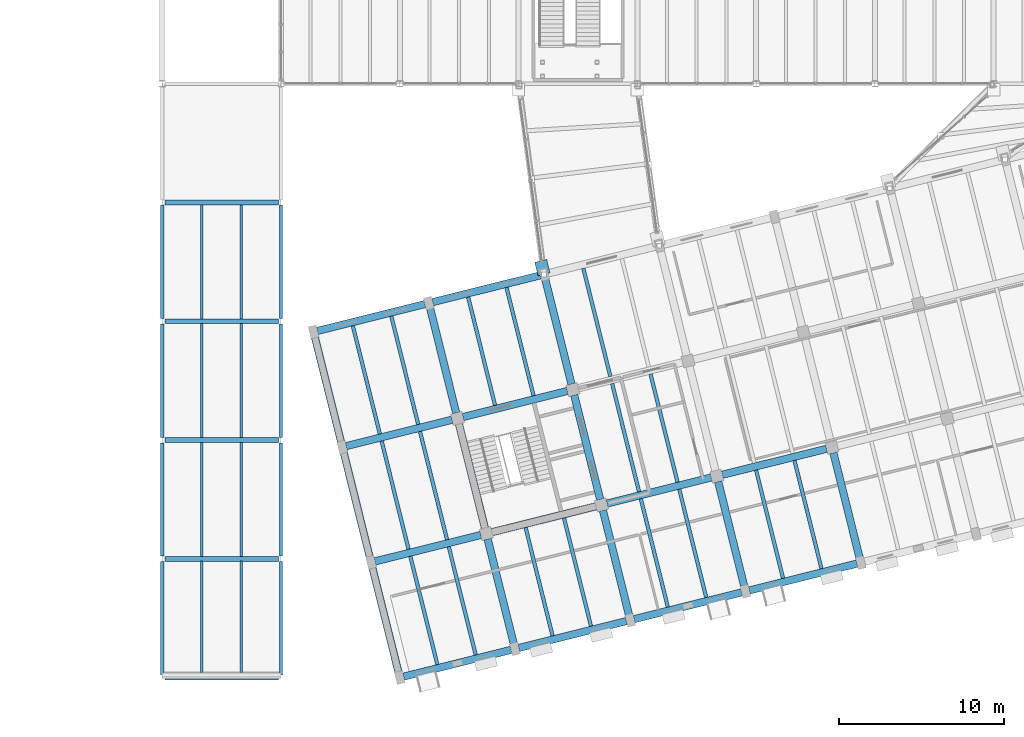
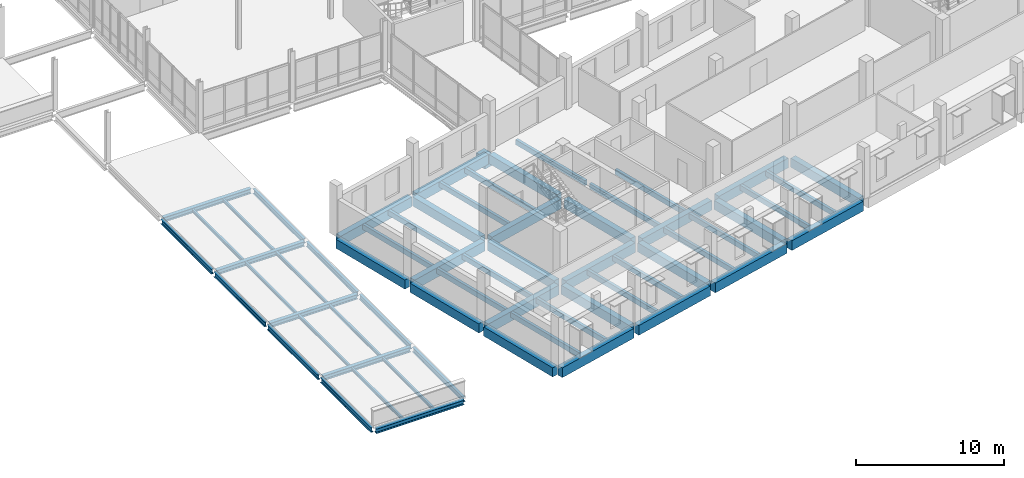
# One storey, part 16 of 72: 62 beams.
"""IFC4 building model written with IfcOpenShell, lengths in metres."""

from ifc_helpers import new_model, si_unit, direction, frame, origin, origin_2d, place, context, subcontext, project, spatial, rectangle, i_section, extrude, material, material_profile, profile_set, type_object, element, save


model = new_model("IFC4")

# Units and contexts
model_context = context("Model", 3, precision=1e-05, world=origin(), true_north=direction((0.0, 1.0)))
body_context = subcontext(model_context, "Body", "Model", "MODEL_VIEW")
ifc_project = project(units=[si_unit("LENGTHUNIT", "METRE"), si_unit("AREAUNIT", "SQUARE_METRE"), si_unit("VOLUMEUNIT", "CUBIC_METRE"), si_unit("PLANEANGLEUNIT", "RADIAN"), si_unit("MASSUNIT", "GRAM", prefix="KILO")], contexts=[model_context])

# Site, building, storey
site_placement = place(None, origin())
site = spatial("IfcSite", under=ifc_project, at=site_placement, CompositionType="ELEMENT")
building_placement = place(site_placement, origin())
building = spatial("IfcBuilding", under=site, at=building_placement, Name="Qiaolan Assembly House", CompositionType="ELEMENT")
storey_placement = place(building_placement, frame((0.0, 0.0, 10.199951171875)))
storey = spatial("IfcBuildingStorey", under=building, at=storey_placement, Name="L02", CompositionType="ELEMENT", Elevation=10.199951171875)

# Beams
ifc_material_1 = material(Name="Concrete C50/60", Category="concrete")
ifc_material_profile_1 = material_profile(ifc_material_1, rectangle(XDim=0.75, YDim=0.949951171875, at=origin_2d()), Name="RCB 750x950")
ifc_profile_set_1 = profile_set([ifc_material_profile_1], Name="Concrete C50/60")
beam_type_1 = type_object("IfcBeamType", Name="BM-CORBEL-750x950", PredefinedType="SPANDREL", material=ifc_profile_set_1)
beam_1_placement = place(storey_placement, frame((44.746826171875, 24.442138671875, -1.051025390625), z_axis=(-0.242130110678, 0.970243788696, 0.0), x_axis=(-0.970243788696, -0.242130110678, 0.0)))
element("IfcBeam", 1, at=beam_1_placement, inside=storey, type_object=beam_type_1, Name="CB-01 movement-joint RC corbel WB L02 SE", PredefinedType="SPANDREL", context=body_context, shape_type="SweptSolid", body=[
    extrude(rectangle(XDim=0.75, YDim=0.949951171875, at=origin_2d()), origin(), (0.0, 0.0, 1.0), 0.85009765625),
])
ifc_material_2 = material(Name="Concrete C40/50", Category="concrete")
ifc_material_profile_2 = material_profile(ifc_material_2, rectangle(XDim=0.449951171875, YDim=0.75, at=origin_2d()), Name="RCB 450x750")
ifc_profile_set_2 = profile_set([ifc_material_profile_2], Name="Concrete C40/50")
beam_type_2 = type_object("IfcBeamType", Name="BM-RC-450x750", PredefinedType="BEAM", material=ifc_profile_set_2)
beam_2_placement = place(storey_placement, frame((35.94189453125, 0.23291015625, -0.625), z_axis=(-0.241928634891, 0.970294045957, 0.0), x_axis=(-0.970294045957, -0.241928634891, 0.0)))
element("IfcBeam", 2, at=beam_2_placement, inside=storey, type_object=beam_type_2, Name="GB-04 beam BMV-SE-L02-00-00", PredefinedType="BEAM", context=body_context, shape_type="SweptSolid", body=[
    extrude(rectangle(XDim=0.449951171875, YDim=0.75, at=origin_2d()), origin(), (0.0, 0.0, 1.0), 6.719970703125),
])
for number, where, z_axis, x_axis, name in (
    (3, (34.2001953125, 7.218994140625, -0.625), (-0.241920106756, 0.970296172283, 0.0), (-0.970296172283, -0.241920106756, 0.0), "GB-04 beam BMV-SE-L02-00-01"),
    (4, (32.458251953125, 14.205078125, -0.625), (-0.241920106756, 0.970296172283, 0.0), (-0.970296172283, -0.241920106756, 0.0), "GB-04 beam BMV-SE-L02-00-02"),
):
    element("IfcBeam", number, at=place(storey_placement, frame(where, z_axis=z_axis, x_axis=x_axis)), inside=storey, type_object=beam_type_2, Name=name, PredefinedType="BEAM", context=body_context, shape_type="SweptSolid", body=[
        extrude(rectangle(XDim=0.449951171875, YDim=0.75, at=origin_2d()), origin(), (0.0, 0.0, 1.0), 6.72021484375),
    ])
beam_3_placement = place(storey_placement, frame((42.927978515625, 1.974609375, -0.625), z_axis=(-0.241893432628, 0.970302822448, 0.0), x_axis=(-0.970302822448, -0.241893432628, 0.0)))
element("IfcBeam", 5, at=beam_3_placement, inside=storey, type_object=beam_type_2, Name="GB-04 beam BMV-SE-L02-01-00", PredefinedType="BEAM", context=body_context, shape_type="SweptSolid", body=[
    extrude(rectangle(XDim=0.449951171875, YDim=0.75, at=origin_2d()), origin(), (0.0, 0.0, 1.0), 6.619873046875),
])
beam_4_placement = place(storey_placement, frame((41.162109375, 9.057861328125, -0.625), z_axis=(-0.241927658105, 0.970294289504, 0.0), x_axis=(-0.970294289504, -0.241927658105, 0.0)))
element("IfcBeam", 6, at=beam_4_placement, inside=storey, type_object=beam_type_2, Name="GB-04 beam BMV-SE-L02-01-01", PredefinedType="BEAM", context=body_context, shape_type="SweptSolid", body=[
    extrude(rectangle(XDim=0.449951171875, YDim=0.75, at=origin_2d()), origin(), (0.0, 0.0, 1.0), 6.52001953125),
])
for number, where, z_axis, x_axis, name in (
    (7, (39.420166015625, 16.0439453125, -0.625), (-0.241928153868, 0.970294165893, 0.0), (-0.970294165893, -0.241928153868, 0.0), "GB-04 beam BMV-SE-L02-01-02"),
    (8, (49.914306640625, 3.716552734375, -0.625), (-0.241928153868, 0.970294165893, 0.0), (-0.970294165893, -0.241928153868, 0.0), "GB-04 beam BMV-SE-L02-02-00"),
):
    element("IfcBeam", number, at=place(storey_placement, frame(where, z_axis=z_axis, x_axis=x_axis)), inside=storey, type_object=beam_type_2, Name=name, PredefinedType="BEAM", context=body_context, shape_type="SweptSolid", body=[
        extrude(rectangle(XDim=0.449951171875, YDim=0.75, at=origin_2d()), origin(), (0.0, 0.0, 1.0), 6.619873046875),
    ])
beam_5_placement = place(storey_placement, frame((48.148193359375, 10.7998046875, -0.625), z_axis=(-0.241936448129, 0.970292097807, 0.0), x_axis=(-0.970292097807, -0.241936448129, 0.0)))
element("IfcBeam", 9, at=beam_5_placement, inside=storey, type_object=beam_type_2, Name="GB-04 beam BMV-SE-L02-02-01", PredefinedType="BEAM", context=body_context, shape_type="SweptSolid", body=[
    extrude(rectangle(XDim=0.449951171875, YDim=0.75, at=origin_2d()), origin(), (0.0, 0.0, 1.0), 6.519775390625),
])
for number, where, z_axis, x_axis, name in (
    (10, (46.40625, 17.785888671875, -0.625), (-0.241928153868, 0.970294165893, 0.0), (-0.970294165893, -0.241928153868, 0.0), "GB-04 beam BMV-SE-L02-02-02"),
    (11, (56.900390625, 5.45849609375, -0.625), (-0.241928153868, 0.970294165893, 0.0), (-0.970294165893, -0.241928153868, 0.0), "GB-04 beam BMV-SE-L02-03-00"),
    (12, (63.886474609375, 7.2001953125, -0.625), (-0.241928153868, 0.970294165893, 0.0), (-0.970294165893, -0.241928153868, 0.0), "GB-04 beam BMV-SE-L02-04-00"),
):
    element("IfcBeam", number, at=place(storey_placement, frame(where, z_axis=z_axis, x_axis=x_axis)), inside=storey, type_object=beam_type_2, Name=name, PredefinedType="BEAM", context=body_context, shape_type="SweptSolid", body=[
        extrude(rectangle(XDim=0.449951171875, YDim=0.75, at=origin_2d()), origin(), (0.0, 0.0, 1.0), 6.619873046875),
    ])
ifc_material_profile_3 = material_profile(ifc_material_2, rectangle(XDim=0.449951171875, YDim=0.800048828125, at=origin_2d()), Name="RCB 450x800")
ifc_profile_set_3 = profile_set([ifc_material_profile_3], Name="Concrete C40/50")
beam_type_3 = type_object("IfcBeamType", Name="BM-RC-450x800", PredefinedType="BEAM", material=ifc_profile_set_3)
beam_6_placement = place(storey_placement, frame((36.23291015625, 0.05810546875, -0.64990234375), z_axis=(0.970294045957, 0.241928634891, 0.0), x_axis=(-0.241928634891, 0.970294045957, 0.0)))
element("IfcBeam", 13, at=beam_6_placement, inside=storey, type_object=beam_type_3, Name="GB-03 beam BMU-SE-L02-00-00", PredefinedType="BEAM", context=body_context, shape_type="SweptSolid", body=[
    extrude(rectangle(XDim=0.449951171875, YDim=0.800048828125, at=origin_2d()), origin(), (0.0, 0.0, 1.0), 6.719970703125),
])
for number, where, z_axis, x_axis, name in (
    (14, (43.218994140625, 1.7998046875, -0.64990234375), (0.970296172283, 0.241920106756, 0.0), (-0.241920106756, 0.970296172283, 0.0), "GB-03 beam BMU-SE-L02-01-00"),
    (15, (50.205078125, 3.541748046875, -0.64990234375), (0.970296172283, 0.241920106756, 0.0), (-0.241920106756, 0.970296172283, 0.0), "GB-03 beam BMU-SE-L02-02-00"),
):
    element("IfcBeam", number, at=place(storey_placement, frame(where, z_axis=z_axis, x_axis=x_axis)), inside=storey, type_object=beam_type_3, Name=name, PredefinedType="BEAM", context=body_context, shape_type="SweptSolid", body=[
        extrude(rectangle(XDim=0.449951171875, YDim=0.800048828125, at=origin_2d()), origin(), (0.0, 0.0, 1.0), 6.72021484375),
    ])
beam_7_placement = place(storey_placement, frame((57.191162109375, 5.28369140625, -0.64990234375), z_axis=(0.970304699599, 0.241885902723, 0.0), x_axis=(-0.241885902723, 0.970304699599, 0.0)))
element("IfcBeam", 16, at=beam_7_placement, inside=storey, type_object=beam_type_3, Name="GB-03 beam BMU-SE-L02-03-00", PredefinedType="BEAM", context=body_context, shape_type="SweptSolid", body=[
    extrude(rectangle(XDim=0.449951171875, YDim=0.800048828125, at=origin_2d()), origin(), (0.0, 0.0, 1.0), 6.719970703125),
])
beam_8_placement = place(storey_placement, frame((34.490966796875, 7.044189453125, -0.64990234375), z_axis=(0.970294165893, 0.241928153868, 0.0), x_axis=(-0.241928153868, 0.970294165893, 0.0)))
element("IfcBeam", 17, at=beam_8_placement, inside=storey, type_object=beam_type_3, Name="GB-03 beam BMU-SE-L02-00-01", PredefinedType="BEAM", context=body_context, shape_type="SweptSolid", body=[
    extrude(rectangle(XDim=0.449951171875, YDim=0.800048828125, at=origin_2d()), origin(), (0.0, 0.0, 1.0), 6.619873046875),
])
for number, where, z_axis, x_axis, name in (
    (18, (41.57421875, 8.810302734375, -0.64990234375), (0.970303078658, 0.241892404898, 0.0), (-0.241892404898, 0.970303078658, 0.0), "GB-03 beam BMU-SE-L02-01-01"),
    (19, (48.560302734375, 10.552001953125, -0.64990234375), (0.970294289504, 0.241927658105, 0.0), (-0.241927658105, 0.970294289504, 0.0), "GB-03 beam BMU-SE-L02-02-01"),
    (20, (55.54638671875, 12.2939453125, -0.64990234375), (0.970294289504, 0.241927658105, 0.0), (-0.241927658105, 0.970294289504, 0.0), "GB-03 beam BMU-SE-L02-03-01"),
):
    element("IfcBeam", number, at=place(storey_placement, frame(where, z_axis=z_axis, x_axis=x_axis)), inside=storey, type_object=beam_type_3, Name=name, PredefinedType="BEAM", context=body_context, shape_type="SweptSolid", body=[
        extrude(rectangle(XDim=0.449951171875, YDim=0.800048828125, at=origin_2d()), origin(), (0.0, 0.0, 1.0), 6.52001953125),
    ])
beam_9_placement = place(storey_placement, frame((32.749267578125, 14.0302734375, -0.64990234375), z_axis=(0.970294165893, 0.241928153868, 0.0), x_axis=(-0.241928153868, 0.970294165893, 0.0)))
element("IfcBeam", 21, at=beam_9_placement, inside=storey, type_object=beam_type_3, Name="GB-03 beam BMU-SE-L02-00-02", PredefinedType="BEAM", context=body_context, shape_type="SweptSolid", body=[
    extrude(rectangle(XDim=0.449951171875, YDim=0.800048828125, at=origin_2d()), origin(), (0.0, 0.0, 1.0), 6.619873046875),
])
beam_10_placement = place(storey_placement, frame((39.832275390625, 15.79638671875, -0.64990234375), z_axis=(0.970294289504, 0.241927658105, 0.0), x_axis=(-0.241927658105, 0.970294289504, 0.0)))
element("IfcBeam", 22, at=beam_10_placement, inside=storey, type_object=beam_type_3, Name="GB-03 beam BMU-SE-L02-01-02", PredefinedType="BEAM", context=body_context, shape_type="SweptSolid", body=[
    extrude(rectangle(XDim=0.449951171875, YDim=0.800048828125, at=origin_2d()), origin(), (0.0, 0.0, 1.0), 6.52001953125),
])
for number, where, z_axis, x_axis, name in (
    (23, (31.00732421875, 21.016357421875, -0.64990234375), (0.970296172283, 0.241920106756, 0.0), (-0.241920106756, 0.970296172283, 0.0), "GB-03 beam BMU-SE-L02-00-03"),
    (24, (37.993408203125, 22.75830078125, -0.64990234375), (0.970296172283, 0.241920106756, 0.0), (-0.241920106756, 0.970296172283, 0.0), "GB-03 beam BMU-SE-L02-01-03"),
):
    element("IfcBeam", number, at=place(storey_placement, frame(where, z_axis=z_axis, x_axis=x_axis)), inside=storey, type_object=beam_type_3, Name=name, PredefinedType="BEAM", context=body_context, shape_type="SweptSolid", body=[
        extrude(rectangle(XDim=0.449951171875, YDim=0.800048828125, at=origin_2d()), origin(), (0.0, 0.0, 1.0), 6.72021484375),
    ])
ifc_material_3 = material(Name="Steel Q355B", Category="steel")
ifc_material_profile_4 = material_profile(ifc_material_3, i_section(OverallWidth=0.300048828125, OverallDepth=0.389892578125, WebThickness=0.010009765625, FlangeThickness=0.01611328125, FilletRadius=0.01806640625, at=origin_2d()), Name="HM 390x300x10x16")
ifc_profile_set_4 = profile_set([ifc_material_profile_4], Name="Steel Q355B")
beam_type_4 = type_object("IfcBeamType", Name="BM-STL-HM390", PredefinedType="BEAM", material=ifc_profile_set_4)
for number, where, z_axis, x_axis, name in (
    (25, (21.764892578125, 0.0, -0.419921875), (1.0, 0.0, 0.0), (0.0, 1.0, 0.0), "SB-08 beam BMX-PSR-L02-00-00"),
    (26, (21.764892578125, 7.199951171875, -0.419921875), (1.0, 0.0, 0.0), (0.0, 1.0, 0.0), "SB-08 beam BMX-PSR-L02-00-01"),
    (27, (21.764892578125, 14.39990234375, -0.419921875), (1.0, 0.0, 0.0), (0.0, 1.0, 0.0), "SB-08 beam BMX-PSR-L02-00-02"),
    (28, (21.764892578125, 21.60009765625, -0.419921875), (1.0, 0.0, 0.0), (0.0, 1.0, 0.0), "SB-08 beam BMX-PSR-L02-00-03"),
    (29, (21.764892578125, 28.800048828125, -0.419921875), (1.0, 0.0, 0.0), (0.0, 1.0, 0.0), "SB-08 beam BMX-PSR-L02-00-04"),
):
    element("IfcBeam", number, at=place(storey_placement, frame(where, z_axis=z_axis, x_axis=x_axis)), inside=storey, type_object=beam_type_4, Name=name, PredefinedType="BEAM", context=body_context, shape_type="SweptSolid", body=[
        extrude(i_section(OverallWidth=0.300048828125, OverallDepth=0.389892578125, WebThickness=0.010009765625, FlangeThickness=0.01611328125, FilletRadius=0.01806640625, at=origin_2d()), origin(), (0.0, 0.0, 1.0), 6.8701171875),
    ])
ifc_material_profile_5 = material_profile(ifc_material_3, i_section(OverallWidth=0.199951171875, OverallDepth=0.39990234375, WebThickness=0.008056640625, FlangeThickness=0.012939453125, FilletRadius=0.01611328125, at=origin_2d()), Name="HN 400x200x8x13")
ifc_profile_set_5 = profile_set([ifc_material_profile_5], Name="Steel Q355B")
beam_type_5 = type_object("IfcBeamType", Name="BM-STL-HN400", PredefinedType="BEAM", material=ifc_profile_set_5)
beam_11_placement = place(storey_placement, frame((21.60009765625, 0.1650390625, -0.425048828125), z_axis=(0.0, 1.0, 0.0), x_axis=(-1.0, 0.0, 0.0)))
element("IfcBeam", 30, at=beam_11_placement, inside=storey, type_object=beam_type_5, Name="SB-09 beam BMY-PSR-L02-00-00", PredefinedType="BEAM", context=body_context, shape_type="SweptSolid", body=[
    extrude(i_section(OverallWidth=0.199951171875, OverallDepth=0.39990234375, WebThickness=0.008056640625, FlangeThickness=0.012939453125, FilletRadius=0.01611328125, at=origin_2d()), origin(), (0.0, 0.0, 1.0), 6.869873046875),
])
for number, where, z_axis, x_axis, name in (
    (31, (21.60009765625, 7.364990234375, -0.425048828125), (0.0, 1.0, 0.0), (-1.0, 0.0, 0.0), "SB-09 beam BMY-PSR-L02-00-01"),
    (32, (21.60009765625, 14.56494140625, -0.425048828125), (0.0, 1.0, 0.0), (-1.0, 0.0, 0.0), "SB-09 beam BMY-PSR-L02-00-02"),
    (33, (21.60009765625, 21.764892578125, -0.425048828125), (0.0, 1.0, 0.0), (-1.0, 0.0, 0.0), "SB-09 beam BMY-PSR-L02-00-03"),
):
    element("IfcBeam", number, at=place(storey_placement, frame(where, z_axis=z_axis, x_axis=x_axis)), inside=storey, type_object=beam_type_5, Name=name, PredefinedType="BEAM", context=body_context, shape_type="SweptSolid", body=[
        extrude(i_section(OverallWidth=0.199951171875, OverallDepth=0.39990234375, WebThickness=0.008056640625, FlangeThickness=0.012939453125, FilletRadius=0.01611328125, at=origin_2d()), origin(), (0.0, 0.0, 1.0), 6.8701171875),
    ])
beam_12_placement = place(storey_placement, frame((28.800048828125, 0.1650390625, -0.425048828125), z_axis=(0.0, 1.0, 0.0), x_axis=(-1.0, 0.0, 0.0)))
element("IfcBeam", 34, at=beam_12_placement, inside=storey, type_object=beam_type_5, Name="SB-09 beam BMY-PSR-L02-01-00", PredefinedType="BEAM", context=body_context, shape_type="SweptSolid", body=[
    extrude(i_section(OverallWidth=0.199951171875, OverallDepth=0.39990234375, WebThickness=0.008056640625, FlangeThickness=0.012939453125, FilletRadius=0.01611328125, at=origin_2d()), origin(), (0.0, 0.0, 1.0), 6.869873046875),
])
for number, where, z_axis, x_axis, name in (
    (35, (28.800048828125, 7.364990234375, -0.425048828125), (0.0, 1.0, 0.0), (-1.0, 0.0, 0.0), "SB-09 beam BMY-PSR-L02-01-01"),
    (36, (28.800048828125, 14.56494140625, -0.425048828125), (0.0, 1.0, 0.0), (-1.0, 0.0, 0.0), "SB-09 beam BMY-PSR-L02-01-02"),
    (37, (28.800048828125, 21.764892578125, -0.425048828125), (0.0, 1.0, 0.0), (-1.0, 0.0, 0.0), "SB-09 beam BMY-PSR-L02-01-03"),
):
    element("IfcBeam", number, at=place(storey_placement, frame(where, z_axis=z_axis, x_axis=x_axis)), inside=storey, type_object=beam_type_5, Name=name, PredefinedType="BEAM", context=body_context, shape_type="SweptSolid", body=[
        extrude(i_section(OverallWidth=0.199951171875, OverallDepth=0.39990234375, WebThickness=0.008056640625, FlangeThickness=0.012939453125, FilletRadius=0.01611328125, at=origin_2d()), origin(), (0.0, 0.0, 1.0), 6.8701171875),
    ])
ifc_material_profile_6 = material_profile(ifc_material_2, rectangle(XDim=0.219970703125, YDim=0.419921875, at=origin_2d()), Name="RCB 220x420")
ifc_profile_set_6 = profile_set([ifc_material_profile_6], Name="Concrete C40/50")
beam_type_6 = type_object("IfcBeamType", Name="JST-RC-220x420", PredefinedType="JOIST", material=ifc_profile_set_6)
for number, where, z_axis, x_axis, name in (
    (38, (38.275634765625, 0.793212890625, -0.4599609375), (-0.241906913479, 0.970299461615, 0.0), (-0.970299461615, -0.241906913479, 0.0), "RJ-03 beam JST-SE-L02-00-00-1"),
    (39, (40.6044921875, 1.373779296875, -0.4599609375), (-0.241940905686, 0.970290986331, 0.0), (-0.970290986331, -0.241940905686, 0.0), "RJ-03 beam JST-SE-L02-00-00-2"),
    (40, (36.533935546875, 7.779296875, -0.4599609375), (-0.241940905686, 0.970290986331, 0.0), (-0.970290986331, -0.241940905686, 0.0), "RJ-03 beam JST-SE-L02-00-01-1"),
    (41, (38.862548828125, 8.35986328125, -0.4599609375), (-0.241906913479, 0.970299461615, 0.0), (-0.970299461615, -0.241906913479, 0.0), "RJ-03 beam JST-SE-L02-00-01-2"),
    (42, (34.7919921875, 14.765380859375, -0.4599609375), (-0.241906913479, 0.970299461615, 0.0), (-0.970299461615, -0.241906913479, 0.0), "RJ-03 beam JST-SE-L02-00-02-1"),
):
    element("IfcBeam", number, at=place(storey_placement, frame(where, z_axis=z_axis, x_axis=x_axis)), inside=storey, type_object=beam_type_6, Name=name, PredefinedType="JOIST", context=body_context, shape_type="SweptSolid", body=[
        extrude(rectangle(XDim=0.219970703125, YDim=0.419921875, at=origin_2d()), origin(), (0.0, 0.0, 1.0), 6.761962890625),
    ])
for number, where, z_axis, x_axis, name in (
    (43, (37.120849609375, 15.345947265625, -0.4599609375), (-0.241932430168, 0.970293099652, 0.0), (-0.970293099652, -0.241932430168, 0.0), "RJ-03 beam JST-SE-L02-00-02-2"),
    (44, (45.261962890625, 2.534912109375, -0.4599609375), (-0.241932430168, 0.970293099652, 0.0), (-0.970293099652, -0.241932430168, 0.0), "RJ-03 beam JST-SE-L02-01-00-1"),
    (45, (47.590576171875, 3.115478515625, -0.4599609375), (-0.241932430168, 0.970293099652, 0.0), (-0.970293099652, -0.241932430168, 0.0), "RJ-03 beam JST-SE-L02-01-00-2"),
):
    element("IfcBeam", number, at=place(storey_placement, frame(where, z_axis=z_axis, x_axis=x_axis)), inside=storey, type_object=beam_type_6, Name=name, PredefinedType="JOIST", context=body_context, shape_type="SweptSolid", body=[
        extrude(rectangle(XDim=0.219970703125, YDim=0.419921875, at=origin_2d()), origin(), (0.0, 0.0, 1.0), 6.76220703125),
    ])
for number, where, z_axis, x_axis, name in (
    (46, (41.778076171875, 16.50732421875, -0.4599609375), (-0.241906913479, 0.970299461615, 0.0), (-0.970299461615, -0.241906913479, 0.0), "RJ-03 beam JST-SE-L02-01-02-1"),
    (47, (44.10693359375, 17.087890625, -0.4599609375), (-0.241940905686, 0.970290986331, 0.0), (-0.970290986331, -0.241940905686, 0.0), "RJ-03 beam JST-SE-L02-01-02-2"),
    (48, (52.248046875, 4.27685546875, -0.4599609375), (-0.241940905686, 0.970290986331, 0.0), (-0.970290986331, -0.241940905686, 0.0), "RJ-03 beam JST-SE-L02-02-00-1"),
    (49, (54.57666015625, 4.857421875, -0.4599609375), (-0.241906913479, 0.970299461615, 0.0), (-0.970299461615, -0.241906913479, 0.0), "RJ-03 beam JST-SE-L02-02-00-2"),
    (50, (50.506103515625, 11.262939453125, -0.4599609375), (-0.241906913479, 0.970299461615, 0.0), (-0.970299461615, -0.241906913479, 0.0), "RJ-03 beam JST-SE-L02-02-01-1"),
):
    element("IfcBeam", number, at=place(storey_placement, frame(where, z_axis=z_axis, x_axis=x_axis)), inside=storey, type_object=beam_type_6, Name=name, PredefinedType="JOIST", context=body_context, shape_type="SweptSolid", body=[
        extrude(rectangle(XDim=0.219970703125, YDim=0.419921875, at=origin_2d()), origin(), (0.0, 0.0, 1.0), 6.761962890625),
    ])
for number, where, z_axis, x_axis, name in (
    (51, (52.8349609375, 11.843505859375, -0.4599609375), (-0.241932430168, 0.970293099652, 0.0), (-0.970293099652, -0.241932430168, 0.0), "RJ-03 beam JST-SE-L02-02-01-2"),
    (52, (48.764404296875, 18.2490234375, -0.4599609375), (-0.241932430168, 0.970293099652, 0.0), (-0.970293099652, -0.241932430168, 0.0), "RJ-03 beam JST-SE-L02-02-02-1"),
    (53, (59.234130859375, 6.0185546875, -0.4599609375), (-0.241932430168, 0.970293099652, 0.0), (-0.970293099652, -0.241932430168, 0.0), "RJ-03 beam JST-SE-L02-03-00-1"),
    (54, (61.562744140625, 6.59912109375, -0.4599609375), (-0.241898439004, 0.970301574361, 0.0), (-0.970301574361, -0.241898439004, 0.0), "RJ-03 beam JST-SE-L02-03-00-2"),
):
    element("IfcBeam", number, at=place(storey_placement, frame(where, z_axis=z_axis, x_axis=x_axis)), inside=storey, type_object=beam_type_6, Name=name, PredefinedType="JOIST", context=body_context, shape_type="SweptSolid", body=[
        extrude(rectangle(XDim=0.219970703125, YDim=0.419921875, at=origin_2d()), origin(), (0.0, 0.0, 1.0), 6.76220703125),
    ])
ifc_material_profile_7 = material_profile(ifc_material_3, i_section(OverallWidth=0.14990234375, OverallDepth=0.2548828125, WebThickness=0.006591796875, FlangeThickness=0.009521484375, FilletRadius=0.011962890625, at=origin_2d()), Name="HM 255x150x6.5x9.5")
ifc_profile_set_7 = profile_set([ifc_material_profile_7], Name="Steel Q355B")
beam_type_7 = type_object("IfcBeamType", Name="JST-STL-HM255", PredefinedType="JOIST", material=ifc_profile_set_7)
for number, where, z_axis, x_axis, name in (
    (55, (24.0, 0.14404296875, -0.3525390625), (0.0, 1.0, 0.0), (-1.0, 0.0, 0.0), "SJ-05 beam JST-PSR-L02-00-00-1"),
    (56, (26.39990234375, 0.14404296875, -0.3525390625), (0.0, 1.0, 0.0), (-1.0, 0.0, 0.0), "SJ-05 beam JST-PSR-L02-00-00-2"),
):
    element("IfcBeam", number, at=place(storey_placement, frame(where, z_axis=z_axis, x_axis=x_axis)), inside=storey, type_object=beam_type_7, Name=name, PredefinedType="JOIST", context=body_context, shape_type="SweptSolid", body=[
        extrude(i_section(OverallWidth=0.14990234375, OverallDepth=0.2548828125, WebThickness=0.006591796875, FlangeThickness=0.009521484375, FilletRadius=0.011962890625, at=origin_2d()), origin(), (0.0, 0.0, 1.0), 6.911865234375),
    ])
for number, where, z_axis, x_axis, name in (
    (57, (24.0, 7.343994140625, -0.3525390625), (0.0, 1.0, 0.0), (-1.0, 0.0, 0.0), "SJ-05 beam JST-PSR-L02-00-01-1"),
    (58, (26.39990234375, 7.343994140625, -0.3525390625), (0.0, 1.0, 0.0), (-1.0, 0.0, 0.0), "SJ-05 beam JST-PSR-L02-00-01-2"),
    (59, (24.0, 14.5439453125, -0.3525390625), (0.0, 1.0, 0.0), (-1.0, 0.0, 0.0), "SJ-05 beam JST-PSR-L02-00-02-1"),
    (60, (26.39990234375, 14.5439453125, -0.3525390625), (0.0, 1.0, 0.0), (-1.0, 0.0, 0.0), "SJ-05 beam JST-PSR-L02-00-02-2"),
    (61, (24.0, 21.743896484375, -0.3525390625), (0.0, 1.0, 0.0), (-1.0, 0.0, 0.0), "SJ-05 beam JST-PSR-L02-00-03-1"),
    (62, (26.39990234375, 21.743896484375, -0.3525390625), (0.0, 1.0, 0.0), (-1.0, 0.0, 0.0), "SJ-05 beam JST-PSR-L02-00-03-2"),
):
    element("IfcBeam", number, at=place(storey_placement, frame(where, z_axis=z_axis, x_axis=x_axis)), inside=storey, type_object=beam_type_7, Name=name, PredefinedType="JOIST", context=body_context, shape_type="SweptSolid", body=[
        extrude(i_section(OverallWidth=0.14990234375, OverallDepth=0.2548828125, WebThickness=0.006591796875, FlangeThickness=0.009521484375, FilletRadius=0.011962890625, at=origin_2d()), origin(), (0.0, 0.0, 1.0), 6.912109375),
    ])

save(model, "model.ifc")
